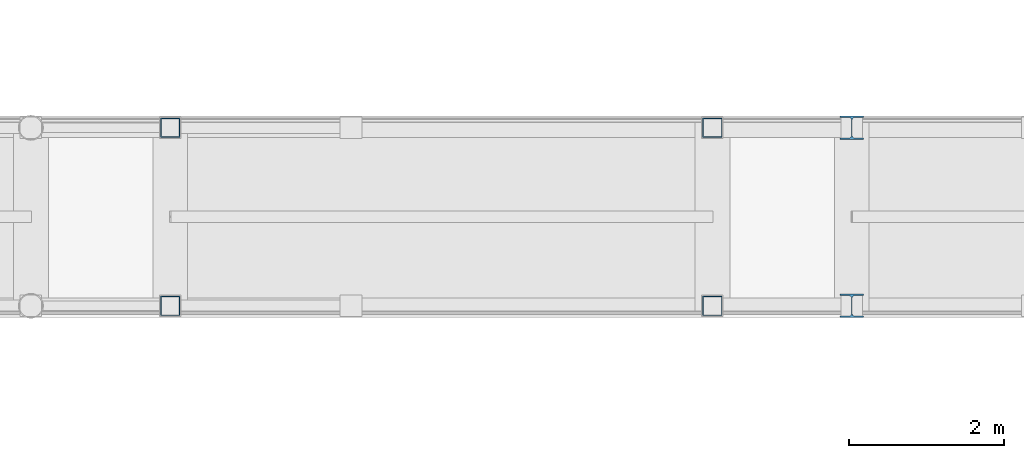
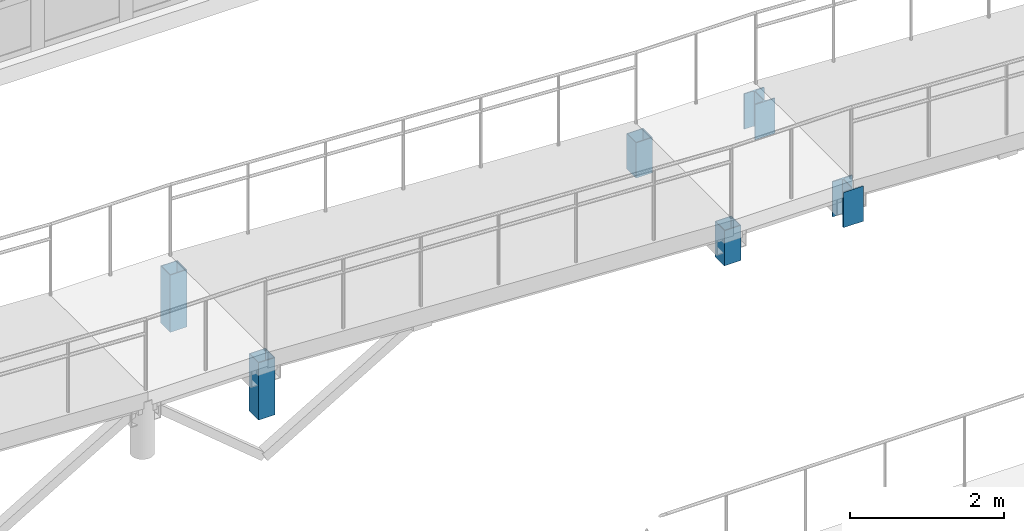
# One storey, part 20 of 89: 6 columns.
"""IFC4 building model written with IfcOpenShell, lengths in metres."""

from ifc_helpers import new_model, si_unit, direction, frame, origin, origin_2d, place, context, subcontext, project, spatial, hollow_rectangle, i_section, extrude, material, material_profile, profile_set, type_object, element, save


model = new_model("IFC4")

# Units and contexts
model_context = context("Model", 3, precision=1e-05, world=origin(), true_north=direction((0.0, 1.0)))
body_context = subcontext(model_context, "Body", "Model", "MODEL_VIEW")
ifc_project = project(units=[si_unit("LENGTHUNIT", "METRE"), si_unit("AREAUNIT", "SQUARE_METRE"), si_unit("VOLUMEUNIT", "CUBIC_METRE"), si_unit("PLANEANGLEUNIT", "RADIAN"), si_unit("MASSUNIT", "GRAM", prefix="KILO")], contexts=[model_context])

# Site, building, storey
site_placement = place(None, origin())
site = spatial("IfcSite", under=ifc_project, at=site_placement, CompositionType="ELEMENT")
building_placement = place(site_placement, origin())
building = spatial("IfcBuilding", under=site, at=building_placement, Name="Malvenik Polytechnic", CompositionType="ELEMENT")
storey_placement = place(building_placement, frame((0.0, 0.0, 13.5)))
storey = spatial("IfcBuildingStorey", under=building, at=storey_placement, Name="L03", CompositionType="ELEMENT", Elevation=13.5)

# Columns
ifc_material_1 = material(Name="Steel S355J2H", Category="steel")
ifc_material_profile_1 = material_profile(ifc_material_1, hollow_rectangle(XDim=0.25, YDim=0.25, WallThickness=0.010009765625, at=origin_2d()), Name="SHS 250x250x10.0")
ifc_profile_set_1 = profile_set([ifc_material_profile_1], Name="Steel S355J2H")
column_type_1 = type_object("IfcColumnType", Name="STR-SCOL-SC-01", PredefinedType="COLUMN", material=ifc_profile_set_1)
for number, where, z_axis, x_axis, name in (
    (1, (110.39990234375, 70.75, 0.0), (0.0, 0.0, 1.0), (1.0, 0.0, 0.0), "Bridge-Ramp Support Column SC-01 L03"),
    (2, (110.39990234375, 73.050048828125, 0.0), (0.0, 0.0, 1.0), (1.0, 0.0, 0.0), "Bridge-Ramp Support Column SC-01 L03"),
):
    element("IfcColumn", number, at=place(storey_placement, frame(where, z_axis=z_axis, x_axis=x_axis)), inside=storey, type_object=column_type_1, Name=name, PredefinedType="COLUMN", context=body_context, shape_type="SweptSolid", body=[
        extrude(hollow_rectangle(XDim=0.25, YDim=0.25, WallThickness=0.010009765625, at=origin_2d()), origin(), (0.0, 0.0, 1.0), 0.56005859375),
    ])
for number, where, z_axis, x_axis, name in (
    (3, (103.39990234375, 70.75, 0.0), (0.0, 0.0, 1.0), (1.0, 0.0, 0.0), "Bridge-Ramp Support Column SC-01 L03"),
    (4, (103.39990234375, 73.050048828125, 0.0), (0.0, 0.0, 1.0), (1.0, 0.0, 0.0), "Bridge-Ramp Support Column SC-01 L03"),
):
    element("IfcColumn", number, at=place(storey_placement, frame(where, z_axis=z_axis, x_axis=x_axis)), inside=storey, type_object=column_type_1, Name=name, PredefinedType="COLUMN", context=body_context, shape_type="SweptSolid", body=[
        extrude(hollow_rectangle(XDim=0.25, YDim=0.25, WallThickness=0.010009765625, at=origin_2d()), origin(), (0.0, 0.0, 1.0), 0.909912109375),
    ])
ifc_material_2 = material(Name="Steel S355", Category="steel")
ifc_material_profile_2 = material_profile(ifc_material_2, i_section(OverallWidth=0.300048828125, OverallDepth=0.300048828125, WebThickness=0.010986328125, FlangeThickness=0.01904296875, FilletRadius=0.027099609375, at=origin_2d()), Name="HEB 300")
ifc_profile_set_2 = profile_set([ifc_material_profile_2], Name="Steel S355")
column_type_2 = type_object("IfcColumnType", Name="STR-SCOL-SC-05", PredefinedType="COLUMN", material=ifc_profile_set_2)
for number, where, z_axis, x_axis, name in (
    (5, (112.199951171875, 70.75, 0.0), (0.0, 0.0, 1.0), (1.0, 0.0, 0.0), "Bridge-Ramp Support Column SC-05 L03"),
    (6, (112.199951171875, 73.050048828125, 0.0), (0.0, 0.0, 1.0), (1.0, 0.0, 0.0), "Bridge-Ramp Support Column SC-05 L03"),
):
    element("IfcColumn", number, at=place(storey_placement, frame(where, z_axis=z_axis, x_axis=x_axis)), inside=storey, type_object=column_type_2, Name=name, PredefinedType="COLUMN", context=body_context, shape_type="SweptSolid", body=[
        extrude(i_section(OverallWidth=0.300048828125, OverallDepth=0.300048828125, WebThickness=0.010986328125, FlangeThickness=0.01904296875, FilletRadius=0.027099609375, at=origin_2d()), origin(), (0.0, 0.0, 1.0), 0.56005859375),
    ])

save(model, "model.ifc")
